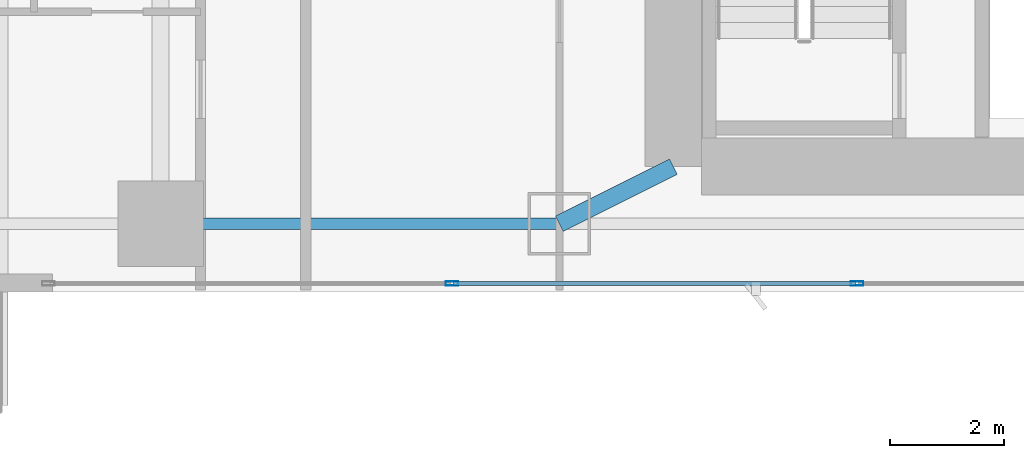
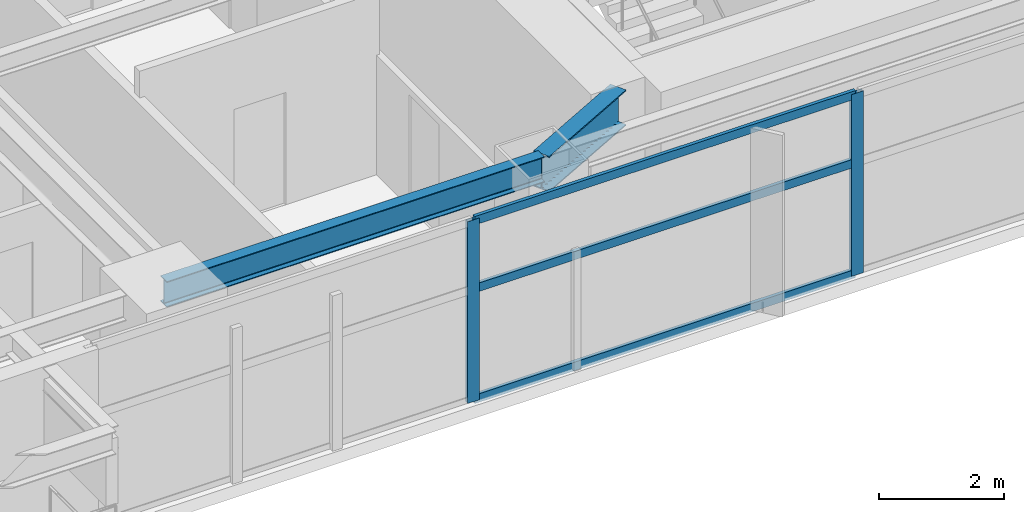
# One storey, part 6 of 29: 5 members, 2 beams, 1 element without a shape of its own.
"""IFC4 building model written with IfcOpenShell, lengths in metres."""

from ifc_helpers import new_model, si_unit, direction, frame, origin, origin_2d, place, context, subcontext, project, spatial, hollow_rectangle, i_section, extrude, material, layer, layer_set, material_profile, profile_set, type_object, element, aggregate, save


model = new_model("IFC4")

# Units and contexts
model_context = context("Model", 3, precision=1e-05, world=origin(), true_north=direction((0.0, 1.0)))
body_context = subcontext(model_context, "Body", "Model", "MODEL_VIEW")
ifc_project = project(units=[si_unit("LENGTHUNIT", "METRE"), si_unit("AREAUNIT", "SQUARE_METRE"), si_unit("VOLUMEUNIT", "CUBIC_METRE"), si_unit("PLANEANGLEUNIT", "RADIAN"), si_unit("MASSUNIT", "GRAM", prefix="KILO")], contexts=[model_context])

# Site, building, storey
site_placement = place(None, origin())
site = spatial("IfcSite", under=ifc_project, at=site_placement, CompositionType="ELEMENT")
building_placement = place(site_placement, origin())
building = spatial("IfcBuilding", under=site, at=building_placement, Name="Calvorn Quay Hotel", CompositionType="ELEMENT")
storey_placement = place(building_placement, frame((0.0, 0.0, 69.800048828125)))
storey = spatial("IfcBuildingStorey", under=building, at=storey_placement, Name="L16", CompositionType="ELEMENT", Elevation=69.800048828125)

# Beams
ifc_material_1 = material(Name="Steel Q390GJC", Category="steel")
ifc_material_profile_1 = material_profile(ifc_material_1, i_section(OverallWidth=0.300048828125, OverallDepth=0.699951171875, WebThickness=0.012939453125, FlangeThickness=0.02392578125, FilletRadius=0.02392578125, at=origin_2d()), Name="HN700x300x13x24")
ifc_profile_set_1 = profile_set([ifc_material_profile_1], Name="Steel Q390GJC")
beam_type_1 = type_object("IfcBeamType", Name="BM-GIRD-MAIN", PredefinedType="BEAM", material=ifc_profile_set_1)
beam_1_placement = place(storey_placement, frame((19.60009765625, 3.60009765625, 3.18994140625), z_axis=(0.894427191, 0.4472135955, 0.0), x_axis=(-0.4472135955, 0.894427191, 0.0)))
element("IfcBeam", 1, at=beam_1_placement, inside=storey, type_object=beam_type_1, Name="Beam BG-L16-S2", PredefinedType="BEAM", context=body_context, shape_type="SweptSolid", body=[
    extrude(i_section(OverallWidth=0.300048828125, OverallDepth=0.699951171875, WebThickness=0.012939453125, FlangeThickness=0.02392578125, FilletRadius=0.02392578125, at=origin_2d()), origin(), (0.0, 0.0, 1.0), 2.236083984375),
])
ifc_material_2 = material(Name="Steel Q355B", Category="steel")
ifc_material_profile_2 = material_profile(ifc_material_2, i_section(OverallWidth=0.199951171875, OverallDepth=0.5, WebThickness=0.010009765625, FlangeThickness=0.01611328125, FilletRadius=0.01611328125, at=origin_2d()), Name="HN500x200x10x16")
ifc_profile_set_2 = profile_set([ifc_material_profile_2], Name="Steel Q355B")
beam_type_2 = type_object("IfcBeamType", Name="BM-SPANDREL-Z1", PredefinedType="SPANDREL", material=ifc_profile_set_2)
beam_2_placement = place(storey_placement, frame((12.60009765625, 3.60009765625, 3.2900390625), z_axis=(1.0, 0.0, 0.0), x_axis=(0.0, 1.0, 0.0)))
element("IfcBeam", 2, at=beam_2_placement, inside=storey, type_object=beam_type_2, Name="Beam BSP-L16-S2", PredefinedType="SPANDREL", context=body_context, shape_type="SweptSolid", body=[
    extrude(i_section(OverallWidth=0.199951171875, OverallDepth=0.5, WebThickness=0.010009765625, FlangeThickness=0.01611328125, FilletRadius=0.01611328125, at=origin_2d()), origin(), (0.0, 0.0, 1.0), 7.0),
])

# Curtain wall, members
ifc_material_3 = material(Name="Pale Anodised Aluminium and Low-E Glass", Category="aluminium")
ifc_layer = layer(ifc_material_3, 0.219970703125)
ifc_layer_set = layer_set([ifc_layer], Name="CW-SYS-Z1")
curtain_wall_type = type_object("IfcCurtainWallType", Name="CW-SYS-Z1", PredefinedType="NOTDEFINED", material=ifc_layer_set)
curtain_wall_placement = place(storey_placement, origin())
curtain_wall = element("IfcCurtainWall", 3, at=curtain_wall_placement, inside=storey, type_object=curtain_wall_type, Name="Tower South Waterfront Curtain Wall (L16)", PredefinedType="NOTDEFINED")
ifc_material_4 = material(Name="Pale Anodised Aluminium 6063-T6", Category="aluminium")
ifc_material_profile_3 = material_profile(ifc_material_4, hollow_rectangle(XDim=0.074951171875, YDim=0.219970703125, WallThickness=0.00439453125, at=origin_2d()), Name="ALU-M220x75x4.5")
ifc_profile_set_3 = profile_set([ifc_material_profile_3], Name="Pale Anodised Aluminium 6063-T6")
member_type_1 = type_object("IfcMemberType", Name="CW-SYS-Z1-MUL", PredefinedType="MULLION", material=ifc_profile_set_3)
member_1_placement = place(storey_placement, frame((17.71435546875, 2.550048828125, 0.0), z_axis=(0.0, 0.0, 1.0), x_axis=(0.0, 1.0, 0.0)))
member_1 = element("IfcMember", 4, at=member_1_placement, type_object=member_type_1, Name="CW-L16-S mullion 2", PredefinedType="MULLION", context=body_context, shape_type="SweptSolid", body=[
    extrude(hollow_rectangle(XDim=0.074951171875, YDim=0.219970703125, WallThickness=0.00439453125, at=origin_2d()), origin(), (0.0, 0.0, 1.0), 3.56005859375),
])
member_2_placement = place(storey_placement, frame((24.82861328125, 2.550048828125, 0.0), z_axis=(0.0, 0.0, 1.0), x_axis=(0.0, 1.0, 0.0)))
member_2 = element("IfcMember", 5, at=member_2_placement, type_object=member_type_1, Name="CW-L16-S mullion 3", PredefinedType="MULLION", context=body_context, shape_type="SweptSolid", body=[
    extrude(hollow_rectangle(XDim=0.074951171875, YDim=0.219970703125, WallThickness=0.00439453125, at=origin_2d()), origin(), (0.0, 0.0, 1.0), 3.56005859375),
])
ifc_material_5 = material(Name="Pale Anodised Aluminium 6063-T6", Category="aluminium")
ifc_material_profile_4 = material_profile(ifc_material_5, hollow_rectangle(XDim=0.06494140625, YDim=0.1650390625, WallThickness=0.00341796875, at=origin_2d()), Name="ALU-T165x65x3.5")
ifc_profile_set_4 = profile_set([ifc_material_profile_4], Name="Pale Anodised Aluminium 6063-T6")
member_type_2 = type_object("IfcMemberType", Name="CW-SYS-Z1-TRN", PredefinedType="USERDEFINED", material=ifc_profile_set_4)
member_3_placement = place(storey_placement, frame((17.744384765625, 2.550048828125, 0.030029296875), z_axis=(1.0, 0.0, 0.0), x_axis=(0.0, 1.0, 0.0)))
member_3 = element("IfcMember", 6, at=member_3_placement, type_object=member_type_2, Name="CW-L16-S transom 2.1", ObjectType="TRANSOM", PredefinedType="USERDEFINED", context=body_context, shape_type="SweptSolid", body=[
    extrude(hollow_rectangle(XDim=0.06494140625, YDim=0.1650390625, WallThickness=0.00341796875, at=origin_2d()), origin(), (0.0, 0.0, 1.0), 7.05419921875),
])
member_4_placement = place(storey_placement, frame((17.744384765625, 2.550048828125, 2.199951171875), z_axis=(1.0, 0.0, 0.0), x_axis=(0.0, 1.0, 0.0)))
member_4 = element("IfcMember", 7, at=member_4_placement, type_object=member_type_2, Name="CW-L16-S transom 2.2", ObjectType="TRANSOM", PredefinedType="USERDEFINED", context=body_context, shape_type="SweptSolid", body=[
    extrude(hollow_rectangle(XDim=0.06494140625, YDim=0.1650390625, WallThickness=0.00341796875, at=origin_2d()), origin(), (0.0, 0.0, 1.0), 7.05419921875),
])
member_5_placement = place(storey_placement, frame((17.744384765625, 2.550048828125, 3.530029296875), z_axis=(1.0, 0.0, 0.0), x_axis=(0.0, 1.0, 0.0)))
member_5 = element("IfcMember", 8, at=member_5_placement, type_object=member_type_2, Name="CW-L16-S transom 2.3", ObjectType="TRANSOM", PredefinedType="USERDEFINED", context=body_context, shape_type="SweptSolid", body=[
    extrude(hollow_rectangle(XDim=0.06494140625, YDim=0.1650390625, WallThickness=0.00341796875, at=origin_2d()), origin(), (0.0, 0.0, 1.0), 7.05419921875),
])
aggregate(curtain_wall, [member_1, member_2, member_3, member_4, member_5])

save(model, "model.ifc")
